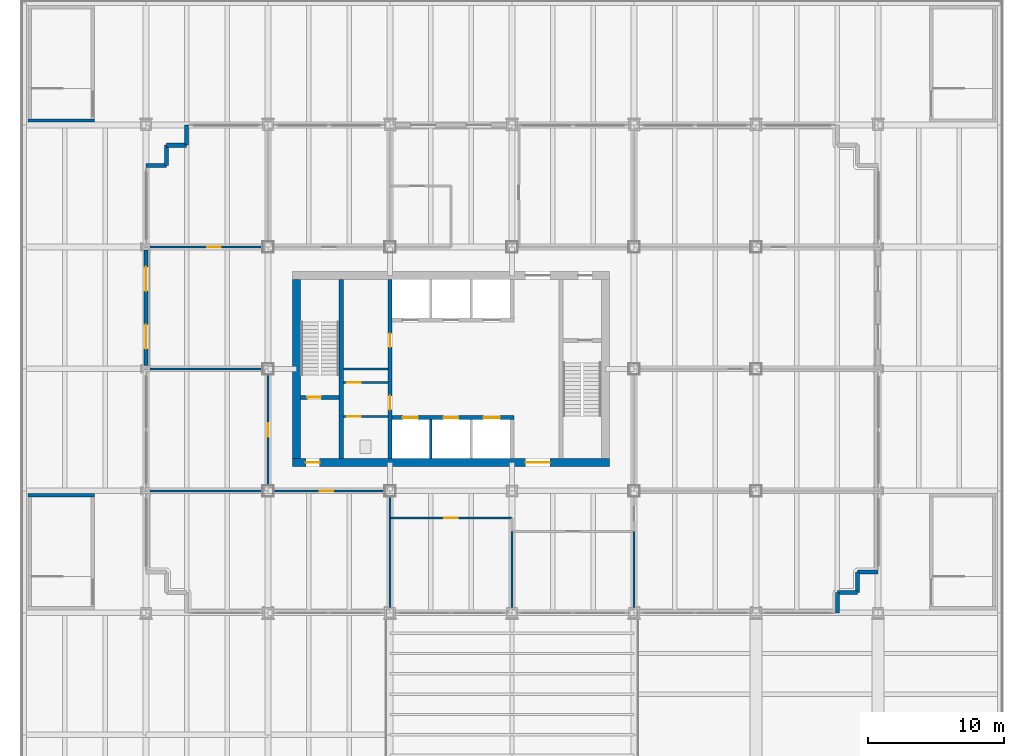
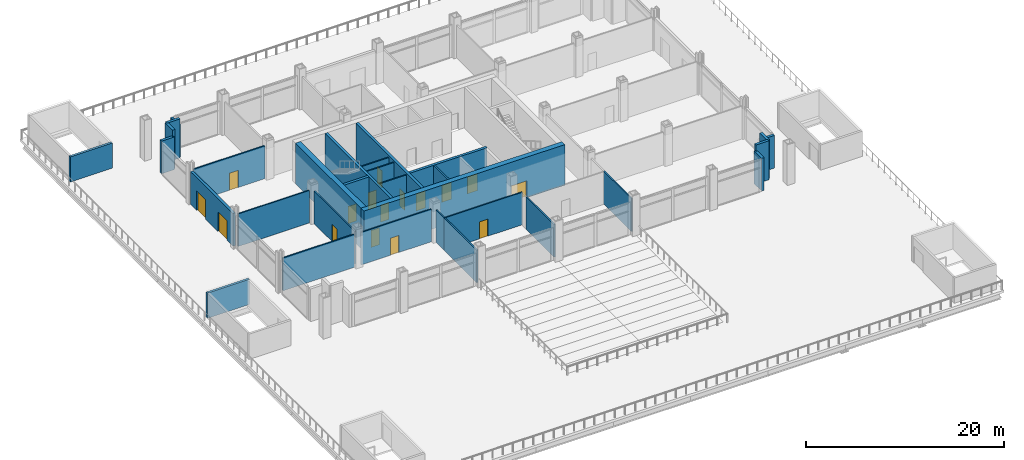
# One storey, part 8 of 16: 31 walls, 16 doors, 16 openings.
"""IFC4 building model written with IfcOpenShell, lengths in metres."""

from ifc_helpers import new_model, si_unit, direction, frame, frame_2d, origin, place, context, subcontext, project, spatial, rectangle, extrude, material, layer, layer_set, type_object, element, fill, save


model = new_model("IFC4")

# Units and contexts
model_context = context("Model", 3, precision=1e-05, world=origin(), true_north=direction((0.0, 1.0)))
body_context = subcontext(model_context, "Body", "Model", "MODEL_VIEW")
ifc_project = project(units=[si_unit("LENGTHUNIT", "METRE"), si_unit("AREAUNIT", "SQUARE_METRE"), si_unit("VOLUMEUNIT", "CUBIC_METRE"), si_unit("PLANEANGLEUNIT", "RADIAN"), si_unit("MASSUNIT", "GRAM", prefix="KILO")], contexts=[model_context])

# Site, building, storey
site_placement = place(None, origin())
site = spatial("IfcSite", under=ifc_project, at=site_placement, CompositionType="ELEMENT")
building_placement = place(site_placement, origin())
building = spatial("IfcBuilding", under=site, at=building_placement, Name="Loomwork Tower", CompositionType="ELEMENT")
storey_placement = place(building_placement, frame((0.0, 0.0, 23.0)))
storey = spatial("IfcBuildingStorey", under=building, at=storey_placement, Name="L04", CompositionType="ELEMENT", Elevation=23.0)

# Wall
ifc_material_1 = material(Name="Concrete 14000 psi (97 MPa)", Category="concrete")
ifc_layer_1 = layer(ifc_material_1, 0.300048828125)
ifc_layer_set_1 = layer_set([ifc_layer_1], Name="Core shear wall 300")
wall_type_1 = type_object("IfcWallType", Name="Core shear wall 300", PredefinedType="SHEAR", material=ifc_layer_set_1)
wall_1_placement = place(storey_placement, frame((14.39990234375, 11.39990234375, 0.0), z_axis=(0.0, 0.0, 1.0), x_axis=(0.0, 1.0, 0.0)))
element("IfcWall", 1, at=wall_1_placement, inside=storey, type_object=wall_type_1, Name="Stair A east wall L04", PredefinedType="SHEAR", context=body_context, shape_type="SweptSolid", body=[
    extrude(rectangle(XDim=13.2001953125, YDim=0.300048828125, at=frame_2d((6.60009765625, 0.0))), origin(), (0.0, 0.0, 1.0), 5.0),
])

# Wall, opening, door
wall_2_placement = place(storey_placement, frame((11.39990234375, 15.89990234375, 0.0), z_axis=(0.0, 0.0, 1.0), x_axis=(1.0, 0.0, 0.0)))
wall_2 = element("IfcWall", 2, at=wall_2_placement, inside=storey, type_object=wall_type_1, Name="Stair A south wall L04", PredefinedType="SHEAR", context=body_context, shape_type="SweptSolid", body=[
    extrude(rectangle(XDim=2.85009765625, YDim=0.300048828125, at=frame_2d((1.425048828125, 0.0))), origin(), (0.0, 0.0, 1.0), 5.0),
])
opening_1_placement = place(wall_2_placement, frame((0.5, 0.0, 0.0)))
opening_1 = element("IfcOpeningElement", 3, at=opening_1_placement, cuts=wall_2, Name="Opening D4", PredefinedType="OPENING", context=body_context, shape_type="SweptSolid", body=[
    extrude(rectangle(XDim=1.0, YDim=2.10009765625, at=frame_2d((0.5, 1.050048828125))), frame((0.0, 0.159912109375, 0.0), z_axis=(0.0, -1.0, 0.0), x_axis=(1.0, 0.0, 0.0)), (0.0, 0.0, 1.0), 0.320068359375),
])
ifc_material_2 = material(Name="Hollow metal door and frame")
door_type_1 = type_object("IfcDoorType", Name="Stair door 1000", OperationType="SINGLE_SWING_RIGHT", PredefinedType="DOOR", material=ifc_material_2)
door_1_placement = place(opening_1_placement, origin())
door_1 = element("IfcDoor", 4, at=door_1_placement, inside=storey, type_object=door_type_1, Name="Stair A door", OperationType="SINGLE_SWING_LEFT", OverallHeight=2.10009765625, OverallWidth=1.0, PredefinedType="DOOR", context=body_context, shape_type="SweptSolid", body=[
    extrude(rectangle(XDim=1.0, YDim=2.10009765625, at=frame_2d((0.5, 1.050048828125))), frame((0.0, 0.02490234375, 0.0), z_axis=(0.0, -1.0, 0.0), x_axis=(1.0, 0.0, 0.0)), (0.0, 0.0, 1.0), 0.050048828125),
])
fill(opening_1, door_1)

# Wall, openings, doors
wall_3_placement = place(storey_placement, frame((18.0, 11.39990234375, 0.0), z_axis=(0.0, 0.0, 1.0), x_axis=(0.0, 1.0, 0.0)))
wall_3 = element("IfcWall", 5, at=wall_3_placement, inside=storey, type_object=wall_type_1, Name="Lobby west wall L04", PredefinedType="SHEAR", context=body_context, shape_type="SweptSolid", body=[
    extrude(rectangle(XDim=13.2001953125, YDim=0.300048828125, at=frame_2d((6.60009765625, 0.0))), origin(), (0.0, 0.0, 1.0), 5.0),
])
opening_2_placement = place(wall_3_placement, frame((3.60009765625, 0.0, 0.0)))
opening_2 = element("IfcOpeningElement", 6, at=opening_2_placement, cuts=wall_3, Name="Opening D5", PredefinedType="OPENING", context=body_context, shape_type="SweptSolid", body=[
    extrude(rectangle(XDim=1.0, YDim=2.10009765625, at=frame_2d((0.5, 1.050048828125))), frame((0.0, 0.159912109375, 0.0), z_axis=(0.0, -1.0, 0.0), x_axis=(1.0, 0.0, 0.0)), (0.0, 0.0, 1.0), 0.320068359375),
])
opening_3_placement = place(wall_3_placement, frame((8.199951171875, 0.0, 0.0)))
opening_3 = element("IfcOpeningElement", 7, at=opening_3_placement, cuts=wall_3, Name="Opening D5", PredefinedType="OPENING", context=body_context, shape_type="SweptSolid", body=[
    extrude(rectangle(XDim=1.0, YDim=2.10009765625, at=frame_2d((0.5, 1.050048828125))), frame((0.0, 0.159912109375, 0.0), z_axis=(0.0, -1.0, 0.0), x_axis=(1.0, 0.0, 0.0)), (0.0, 0.0, 1.0), 0.320068359375),
])
ifc_material_3 = material(Name="Hollow metal door and frame")
door_type_2 = type_object("IfcDoorType", Name="Service door 1000", OperationType="SINGLE_SWING_LEFT", PredefinedType="DOOR", material=ifc_material_3)
door_2_placement = place(opening_2_placement, origin())
door_2 = element("IfcDoor", 8, at=door_2_placement, inside=storey, type_object=door_type_2, Name="Back-of-house door south", OperationType="SINGLE_SWING_LEFT", OverallHeight=2.10009765625, OverallWidth=1.0, PredefinedType="DOOR", context=body_context, shape_type="SweptSolid", body=[
    extrude(rectangle(XDim=1.0, YDim=2.10009765625, at=frame_2d((0.5, 1.050048828125))), frame((0.0, 0.02490234375, 0.0), z_axis=(0.0, -1.0, 0.0), x_axis=(1.0, 0.0, 0.0)), (0.0, 0.0, 1.0), 0.050048828125),
])
fill(opening_2, door_2)
door_3_placement = place(opening_3_placement, origin())
door_3 = element("IfcDoor", 9, at=door_3_placement, inside=storey, type_object=door_type_2, Name="Back-of-house door north", OperationType="SINGLE_SWING_RIGHT", OverallHeight=2.10009765625, OverallWidth=1.0, PredefinedType="DOOR", context=body_context, shape_type="SweptSolid", body=[
    extrude(rectangle(XDim=1.0, YDim=2.10009765625, at=frame_2d((0.5, 1.050048828125))), frame((0.0, 0.02490234375, 0.0), z_axis=(0.0, -1.0, 0.0), x_axis=(1.0, 0.0, 0.0)), (0.0, 0.0, 1.0), 0.050048828125),
])
fill(opening_3, door_3)

wall_4_placement = place(storey_placement, frame((18.14990234375, 14.39990234375, 0.0), z_axis=(0.0, 0.0, 1.0), x_axis=(1.0, 0.0, 0.0)))
wall_4 = element("IfcWall", 10, at=wall_4_placement, inside=storey, type_object=wall_type_1, Name="Lift front wall south L04", PredefinedType="SHEAR", context=body_context, shape_type="SweptSolid", body=[
    extrude(rectangle(XDim=9.0, YDim=0.300048828125, at=frame_2d((4.5, 0.0))), origin(), (0.0, 0.0, 1.0), 5.0),
])
opening_4_placement = place(wall_4_placement, frame((0.800048828125, 0.0, 0.0)))
opening_4 = element("IfcOpeningElement", 11, at=opening_4_placement, cuts=wall_4, Name="Opening LD1", PredefinedType="OPENING", context=body_context, shape_type="SweptSolid", body=[
    extrude(rectangle(XDim=1.10009765625, YDim=2.10009765625, at=frame_2d((0.550048828125, 1.050048828125))), frame((0.0, 0.159912109375, 0.0), z_axis=(0.0, -1.0, 0.0), x_axis=(1.0, 0.0, 0.0)), (0.0, 0.0, 1.0), 0.320068359375),
])
opening_5_placement = place(wall_4_placement, frame((3.800048828125, 0.0, 0.0)))
opening_5 = element("IfcOpeningElement", 12, at=opening_5_placement, cuts=wall_4, Name="Opening LD1", PredefinedType="OPENING", context=body_context, shape_type="SweptSolid", body=[
    extrude(rectangle(XDim=1.10009765625, YDim=2.10009765625, at=frame_2d((0.550048828125, 1.050048828125))), frame((0.0, 0.159912109375, 0.0), z_axis=(0.0, -1.0, 0.0), x_axis=(1.0, 0.0, 0.0)), (0.0, 0.0, 1.0), 0.320068359375),
])
opening_6_placement = place(wall_4_placement, frame((6.75, 0.0, 0.0)))
opening_6 = element("IfcOpeningElement", 13, at=opening_6_placement, cuts=wall_4, Name="Opening LD2", PredefinedType="OPENING", context=body_context, shape_type="SweptSolid", body=[
    extrude(rectangle(XDim=1.199951171875, YDim=2.10009765625, at=frame_2d((0.60009765625, 1.050048828125))), frame((0.0, 0.159912109375, 0.0), z_axis=(0.0, -1.0, 0.0), x_axis=(1.0, 0.0, 0.0)), (0.0, 0.0, 1.0), 0.320068359375),
])
ifc_material_4 = material(Name="Hollow metal door and frame")
door_type_3 = type_object("IfcDoorType", Name="Lift landing door 1100", OperationType="SLIDING_TO_LEFT", PredefinedType="DOOR", material=ifc_material_4)
door_4_placement = place(opening_4_placement, origin())
door_4 = element("IfcDoor", 14, at=door_4_placement, inside=storey, type_object=door_type_3, Name="Lift landing door LA1", OperationType="SLIDING_TO_LEFT", OverallHeight=2.10009765625, OverallWidth=1.10009765625, PredefinedType="DOOR", context=body_context, shape_type="SweptSolid", body=[
    extrude(rectangle(XDim=1.10009765625, YDim=2.10009765625, at=frame_2d((0.550048828125, 1.050048828125))), frame((0.0, 0.02490234375, 0.0), z_axis=(0.0, -1.0, 0.0), x_axis=(1.0, 0.0, 0.0)), (0.0, 0.0, 1.0), 0.050048828125),
])
fill(opening_4, door_4)
door_5_placement = place(opening_5_placement, origin())
door_5 = element("IfcDoor", 15, at=door_5_placement, inside=storey, type_object=door_type_3, Name="Lift landing door LA2", OperationType="SLIDING_TO_LEFT", OverallHeight=2.10009765625, OverallWidth=1.10009765625, PredefinedType="DOOR", context=body_context, shape_type="SweptSolid", body=[
    extrude(rectangle(XDim=1.10009765625, YDim=2.10009765625, at=frame_2d((0.550048828125, 1.050048828125))), frame((0.0, 0.02490234375, 0.0), z_axis=(0.0, -1.0, 0.0), x_axis=(1.0, 0.0, 0.0)), (0.0, 0.0, 1.0), 0.050048828125),
])
fill(opening_5, door_5)
ifc_material_5 = material(Name="Hollow metal door and frame")
door_type_4 = type_object("IfcDoorType", Name="Lift landing door 1200", OperationType="SLIDING_TO_LEFT", PredefinedType="DOOR", material=ifc_material_5)
door_6_placement = place(opening_6_placement, origin())
door_6 = element("IfcDoor", 16, at=door_6_placement, inside=storey, type_object=door_type_4, Name="Lift landing door LF1", OperationType="SLIDING_TO_LEFT", OverallHeight=2.10009765625, OverallWidth=1.199951171875, PredefinedType="DOOR", context=body_context, shape_type="SweptSolid", body=[
    extrude(rectangle(XDim=1.199951171875, YDim=2.10009765625, at=frame_2d((0.60009765625, 1.050048828125))), frame((0.0, 0.02490234375, 0.0), z_axis=(0.0, -1.0, 0.0), x_axis=(1.0, 0.0, 0.0)), (0.0, 0.0, 1.0), 0.050048828125),
])
fill(opening_6, door_6)

ifc_material_6 = material(Name="Concrete 14000 psi (97 MPa)", Category="concrete")
ifc_layer_2 = layer(ifc_material_6, 0.60009765625)
ifc_layer_set_2 = layer_set([ifc_layer_2], Name="Core shear wall 600")
wall_type_2 = type_object("IfcWallType", Name="Core shear wall 600", PredefinedType="SHEAR", material=ifc_layer_set_2)
wall_5_placement = place(storey_placement, frame((10.800048828125, 11.10009765625, 0.0), z_axis=(0.0, 0.0, 1.0), x_axis=(1.0, 0.0, 0.0)))
wall_5 = element("IfcWall", 17, at=wall_5_placement, inside=storey, type_object=wall_type_2, Name="Core wall south L04", PredefinedType="SHEAR", context=body_context, shape_type="SweptSolid", body=[
    extrude(rectangle(XDim=23.39990234375, YDim=0.60009765625, at=frame_2d((11.699951171875, 0.0))), origin(), (0.0, 0.0, 1.0), 5.0),
])
opening_7_placement = place(wall_5_placement, frame((1.0, 0.0, 0.0)))
opening_7 = element("IfcOpeningElement", 18, at=opening_7_placement, cuts=wall_5, Name="Opening D4", PredefinedType="OPENING", context=body_context, shape_type="SweptSolid", body=[
    extrude(rectangle(XDim=1.0, YDim=2.10009765625, at=frame_2d((0.5, 1.050048828125))), frame((0.0, 0.31005859375, 0.0), z_axis=(0.0, -1.0, 0.0), x_axis=(1.0, 0.0, 0.0)), (0.0, 0.0, 1.0), 0.6201171875),
])
opening_8_placement = place(wall_5_placement, frame((17.199951171875, 0.0, 0.0)))
opening_8 = element("IfcOpeningElement", 19, at=opening_8_placement, cuts=wall_5, Name="Opening D6", PredefinedType="OPENING", context=body_context, shape_type="SweptSolid", body=[
    extrude(rectangle(XDim=1.800048828125, YDim=2.10009765625, at=frame_2d((0.89990234375, 1.050048828125))), frame((0.0, 0.31005859375, 0.0), z_axis=(0.0, -1.0, 0.0), x_axis=(1.0, 0.0, 0.0)), (0.0, 0.0, 1.0), 0.6201171875),
])
ifc_material_7 = material(Name="Hollow metal door and frame")
door_type_5 = type_object("IfcDoorType", Name="Lobby passage double door 1800", OperationType="DOUBLE_DOOR_SINGLE_SWING", PredefinedType="DOOR", material=ifc_material_7)
door_7_placement = place(opening_8_placement, origin())
door_7 = element("IfcDoor", 20, at=door_7_placement, inside=storey, type_object=door_type_5, Name="Lobby passage door south", OperationType="DOUBLE_DOOR_SINGLE_SWING", OverallHeight=2.10009765625, OverallWidth=1.800048828125, PredefinedType="DOOR", context=body_context, shape_type="SweptSolid", body=[
    extrude(rectangle(XDim=1.800048828125, YDim=2.10009765625, at=frame_2d((0.89990234375, 1.050048828125))), frame((0.0, 0.02490234375, 0.0), z_axis=(0.0, -1.0, 0.0), x_axis=(1.0, 0.0, 0.0)), (0.0, 0.0, 1.0), 0.050048828125),
])
fill(opening_8, door_7)
door_8_placement = place(opening_7_placement, origin())
door_8 = element("IfcDoor", 21, at=door_8_placement, inside=storey, type_object=door_type_1, Name="Stair A vestibule door", OperationType="SINGLE_SWING_LEFT", OverallHeight=2.10009765625, OverallWidth=1.0, PredefinedType="DOOR", context=body_context, shape_type="SweptSolid", body=[
    extrude(rectangle(XDim=1.0, YDim=2.10009765625, at=frame_2d((0.5, 1.050048828125))), frame((0.0, 0.02490234375, 0.0), z_axis=(0.0, -1.0, 0.0), x_axis=(1.0, 0.0, 0.0)), (0.0, 0.0, 1.0), 0.050048828125),
])
fill(opening_7, door_8)

# Walls
wall_6_placement = place(storey_placement, frame((11.10009765625, 11.39990234375, 0.0), z_axis=(0.0, 0.0, 1.0), x_axis=(0.0, 1.0, 0.0)))
element("IfcWall", 22, at=wall_6_placement, inside=storey, type_object=wall_type_2, Name="Core wall west L04", PredefinedType="SHEAR", context=body_context, shape_type="SweptSolid", body=[
    extrude(rectangle(XDim=13.2001953125, YDim=0.60009765625, at=frame_2d((6.60009765625, 0.0))), origin(), (0.0, 0.0, 1.0), 5.0),
])
ifc_material_8 = material(Name="Concrete 14000 psi (97 MPa)", Category="concrete")
ifc_layer_3 = layer(ifc_material_8, 0.199951171875)
ifc_layer_set_3 = layer_set([ifc_layer_3], Name="Lift shaft wall 200")
wall_type_3 = type_object("IfcWallType", Name="Lift shaft wall 200", PredefinedType="SHEAR", material=ifc_layer_set_3)
wall_7_placement = place(storey_placement, frame((21.0, 11.39990234375, 0.0), z_axis=(0.0, 0.0, 1.0), x_axis=(0.0, 1.0, 0.0)))
element("IfcWall", 23, at=wall_7_placement, inside=storey, type_object=wall_type_3, Name="Lift shaft separation wall south 1 L04", PredefinedType="SHEAR", context=body_context, shape_type="SweptSolid", body=[
    extrude(rectangle(XDim=2.85009765625, YDim=0.199951171875, at=frame_2d((1.425048828125, 0.0))), origin(), (0.0, 0.0, 1.0), 5.0),
])
ifc_material_9 = material(Name="Limestone on concrete masonry", Category="masonry")
ifc_layer_4 = layer(ifc_material_9, 0.300048828125)
ifc_layer_set_4 = layer_set([ifc_layer_4], Name="Limestone corner wall 300")
wall_type_4 = type_object("IfcWallType", Name="Limestone corner wall 300", PredefinedType="SOLIDWALL", material=ifc_layer_set_4)
wall_8_placement = place(storey_placement, frame((51.0, 0.0, 0.0), z_axis=(0.0, 0.0, 1.0), x_axis=(0.0, 1.0, 0.0)))
element("IfcWall", 24, at=wall_8_placement, inside=storey, type_object=wall_type_4, Name="Stone corner wall SE 1", PredefinedType="SOLIDWALL", context=body_context, shape_type="SweptSolid", body=[
    extrude(rectangle(XDim=1.5, YDim=0.300048828125, at=frame_2d((0.75, 0.0))), origin(), (0.0, 0.0, 1.0), 4.02001953125),
])
for number, where, z_axis, x_axis, name in (
    (25, (51.0, 1.5, 0.0), (0.0, 0.0, 1.0), (1.0, 0.0, 0.0), "Stone corner wall SE 2"),
    (26, (52.5, 1.5, 0.0), (0.0, 0.0, 1.0), (0.0, 1.0, 0.0), "Stone corner wall SE 3"),
):
    element("IfcWall", number, at=place(storey_placement, frame(where, z_axis=z_axis, x_axis=x_axis)), inside=storey, type_object=wall_type_4, Name=name, PredefinedType="SOLIDWALL", context=body_context, shape_type="SweptSolid", body=[
        extrude(rectangle(XDim=1.5, YDim=0.300048828125, at=frame_2d((0.75, 0.0))), origin(), (0.0, 0.0, 1.0), 4.800048828125),
    ])
for number, where, z_axis, x_axis, name in (
    (27, (52.5, 3.0, 0.0), (0.0, 0.0, 1.0), (1.0, 0.0, 0.0), "Stone corner wall SE 4"),
    (28, (3.0, 36.0, 0.0), (0.0, 0.0, 1.0), (0.0, -1.0, 0.0), "Stone corner wall NW 1"),
):
    element("IfcWall", number, at=place(storey_placement, frame(where, z_axis=z_axis, x_axis=x_axis)), inside=storey, type_object=wall_type_4, Name=name, PredefinedType="SOLIDWALL", context=body_context, shape_type="SweptSolid", body=[
        extrude(rectangle(XDim=1.5, YDim=0.300048828125, at=frame_2d((0.75, 0.0))), origin(), (0.0, 0.0, 1.0), 4.02001953125),
    ])
for number, where, z_axis, x_axis, name in (
    (29, (3.0, 34.5, 0.0), (0.0, 0.0, 1.0), (-1.0, 0.0, 0.0), "Stone corner wall NW 2"),
    (30, (1.5, 34.5, 0.0), (0.0, 0.0, 1.0), (0.0, -1.0, 0.0), "Stone corner wall NW 3"),
):
    element("IfcWall", number, at=place(storey_placement, frame(where, z_axis=z_axis, x_axis=x_axis)), inside=storey, type_object=wall_type_4, Name=name, PredefinedType="SOLIDWALL", context=body_context, shape_type="SweptSolid", body=[
        extrude(rectangle(XDim=1.5, YDim=0.300048828125, at=frame_2d((0.75, 0.0))), origin(), (0.0, 0.0, 1.0), 4.800048828125),
    ])
wall_9_placement = place(storey_placement, frame((1.5, 33.0, 0.0), z_axis=(0.0, 0.0, 1.0), x_axis=(-1.0, 0.0, 0.0)))
element("IfcWall", 31, at=wall_9_placement, inside=storey, type_object=wall_type_4, Name="Stone corner wall NW 4", PredefinedType="SOLIDWALL", context=body_context, shape_type="SweptSolid", body=[
    extrude(rectangle(XDim=1.5, YDim=0.300048828125, at=frame_2d((0.75, 0.0))), origin(), (0.0, 0.0, 1.0), 4.02001953125),
])
ifc_material_10 = material(Name="Gypsum board on steel studs, one-hour", Category="steel")
ifc_layer_5 = layer(ifc_material_10, 0.14990234375)
ifc_layer_set_5 = layer_set([ifc_layer_5], Name="Partition 150")
wall_type_5 = type_object("IfcWallType", Name="Partition 150", PredefinedType="PARTITIONING", material=ifc_layer_set_5)
wall_10_placement = place(storey_placement, frame((0.2998046875, 9.0, 0.0), z_axis=(0.0, 0.0, 1.0), x_axis=(1.0, 0.0, 0.0)))
element("IfcWall", 32, at=wall_10_placement, inside=storey, type_object=wall_type_5, Name="Partition L04 1.1", PredefinedType="PARTITIONING", context=body_context, shape_type="SweptSolid", body=[
    extrude(rectangle(XDim=8.30029296875, YDim=0.14990234375, at=frame_2d((4.150146484375, 0.0))), origin(), (0.0, 0.0, 1.0), 4.0380859375),
])
wall_11_placement = place(storey_placement, frame((0.2998046875, 18.0, 0.0), z_axis=(0.0, 0.0, 1.0), x_axis=(1.0, 0.0, 0.0)))
element("IfcWall", 33, at=wall_11_placement, inside=storey, type_object=wall_type_5, Name="Partition L04 2.1", PredefinedType="PARTITIONING", context=body_context, shape_type="SweptSolid", body=[
    extrude(rectangle(XDim=8.30029296875, YDim=0.14990234375, at=frame_2d((4.150146484375, 0.0))), origin(), (0.0, 0.0, 1.0), 4.0048828125),
])

# Wall, opening, door
wall_12_placement = place(storey_placement, frame((8.60009765625, 27.0, 0.0), z_axis=(0.0, 0.0, 1.0), x_axis=(-1.0, 0.0, 0.0)))
wall_12 = element("IfcWall", 34, at=wall_12_placement, inside=storey, type_object=wall_type_5, Name="Partition L04 3.1", PredefinedType="PARTITIONING", context=body_context, shape_type="SweptSolid", body=[
    extrude(rectangle(XDim=8.30029296875, YDim=0.14990234375, at=frame_2d((4.150146484375, 0.0))), origin(), (0.0, 0.0, 1.0), 4.0380859375),
])
opening_9_placement = place(wall_12_placement, frame((3.10009765625, 0.0, 0.0)))
opening_9 = element("IfcOpeningElement", 35, at=opening_9_placement, cuts=wall_12, Name="Opening D8", PredefinedType="OPENING", context=body_context, shape_type="SweptSolid", body=[
    extrude(rectangle(XDim=1.0, YDim=2.10009765625, at=frame_2d((0.5, 1.050048828125))), frame((0.0, 0.0849609375, 0.0), z_axis=(0.0, -1.0, 0.0), x_axis=(1.0, 0.0, 0.0)), (0.0, 0.0, 1.0), 0.169921875),
])
ifc_material_11 = material(Name="Hollow metal door and frame")
door_type_6 = type_object("IfcDoorType", Name="WC door 1000", OperationType="SINGLE_SWING_LEFT", PredefinedType="DOOR", material=ifc_material_11)
door_9_placement = place(opening_9_placement, frame((1.0, 0.0, 0.0), z_axis=(0.0, 0.0, 1.0), x_axis=(-1.0, 0.0, 0.0)))
door_9 = element("IfcDoor", 36, at=door_9_placement, inside=storey, type_object=door_type_6, Name="Public WC men door", OperationType="SINGLE_SWING_RIGHT", OverallHeight=2.10009765625, OverallWidth=1.0, PredefinedType="DOOR", context=body_context, shape_type="SweptSolid", body=[
    extrude(rectangle(XDim=1.0, YDim=2.10009765625, at=frame_2d((0.5, 1.050048828125))), frame((0.0, 0.02490234375, 0.0), z_axis=(0.0, -1.0, 0.0), x_axis=(1.0, 0.0, 0.0)), (0.0, 0.0, 1.0), 0.050048828125),
])
fill(opening_9, door_9)

wall_13_placement = place(storey_placement, frame((9.0, 17.60009765625, 0.0), z_axis=(0.0, 0.0, 1.0), x_axis=(0.0, -1.0, 0.0)))
wall_13 = element("IfcWall", 37, at=wall_13_placement, inside=storey, type_object=wall_type_5, Name="Partition L04 4.1", PredefinedType="PARTITIONING", context=body_context, shape_type="SweptSolid", body=[
    extrude(rectangle(XDim=8.2001953125, YDim=0.14990234375, at=frame_2d((4.10009765625, 0.0))), origin(), (0.0, 0.0, 1.0), 4.0048828125),
])
opening_10_placement = place(wall_13_placement, frame((3.60009765625, 0.0, 0.0)))
opening_10 = element("IfcOpeningElement", 38, at=opening_10_placement, cuts=wall_13, Name="Opening D7", PredefinedType="OPENING", context=body_context, shape_type="SweptSolid", body=[
    extrude(rectangle(XDim=1.0, YDim=2.10009765625, at=frame_2d((0.5, 1.050048828125))), frame((0.0, 0.0849609375, 0.0), z_axis=(0.0, -1.0, 0.0), x_axis=(1.0, 0.0, 0.0)), (0.0, 0.0, 1.0), 0.169921875),
])
ifc_material_12 = material(Name="Hollow metal door and frame")
door_type_7 = type_object("IfcDoorType", Name="Room door 1000", OperationType="SINGLE_SWING_LEFT", PredefinedType="DOOR", material=ifc_material_12)
door_10_placement = place(opening_10_placement, origin())
door_10 = element("IfcDoor", 39, at=door_10_placement, inside=storey, type_object=door_type_7, Name="Cocktail bar door", OperationType="SINGLE_SWING_RIGHT", OverallHeight=2.10009765625, OverallWidth=1.0, PredefinedType="DOOR", context=body_context, shape_type="SweptSolid", body=[
    extrude(rectangle(XDim=1.0, YDim=2.10009765625, at=frame_2d((0.5, 1.050048828125))), frame((0.0, 0.02490234375, 0.0), z_axis=(0.0, -1.0, 0.0), x_axis=(1.0, 0.0, 0.0)), (0.0, 0.0, 1.0), 0.050048828125),
])
fill(opening_10, door_10)

wall_14_placement = place(storey_placement, frame((9.39990234375, 9.0, 0.0), z_axis=(0.0, 0.0, 1.0), x_axis=(1.0, 0.0, 0.0)))
wall_14 = element("IfcWall", 40, at=wall_14_placement, inside=storey, type_object=wall_type_5, Name="Partition L04 5.1", PredefinedType="PARTITIONING", context=body_context, shape_type="SweptSolid", body=[
    extrude(rectangle(XDim=8.2001953125, YDim=0.14990234375, at=frame_2d((4.10009765625, 0.0))), origin(), (0.0, 0.0, 1.0), 4.0048828125),
])
opening_11_placement = place(wall_14_placement, frame((3.39990234375, 0.0, 0.0)))
opening_11 = element("IfcOpeningElement", 41, at=opening_11_placement, cuts=wall_14, Name="Opening D7", PredefinedType="OPENING", context=body_context, shape_type="SweptSolid", body=[
    extrude(rectangle(XDim=1.0, YDim=2.10009765625, at=frame_2d((0.5, 1.050048828125))), frame((0.0, 0.0849609375, 0.0), z_axis=(0.0, -1.0, 0.0), x_axis=(1.0, 0.0, 0.0)), (0.0, 0.0, 1.0), 0.169921875),
])
door_11_placement = place(opening_11_placement, frame((1.0, 0.0, 0.0), z_axis=(0.0, 0.0, 1.0), x_axis=(-1.0, 0.0, 0.0)))
door_11 = element("IfcDoor", 42, at=door_11_placement, inside=storey, type_object=door_type_7, Name="Fitness centre door", OperationType="SINGLE_SWING_LEFT", OverallHeight=2.10009765625, OverallWidth=1.0, PredefinedType="DOOR", context=body_context, shape_type="SweptSolid", body=[
    extrude(rectangle(XDim=1.0, YDim=2.10009765625, at=frame_2d((0.5, 1.050048828125))), frame((0.0, 0.02490234375, 0.0), z_axis=(0.0, -1.0, 0.0), x_axis=(1.0, 0.0, 0.0)), (0.0, 0.0, 1.0), 0.050048828125),
])
fill(opening_11, door_11)

# Walls
wall_15_placement = place(storey_placement, frame((18.0, 7.0, 0.0), z_axis=(0.0, 0.0, 1.0), x_axis=(0.0, -1.0, 0.0)))
element("IfcWall", 43, at=wall_15_placement, inside=storey, type_object=wall_type_5, Name="Partition L04 8.1", PredefinedType="PARTITIONING", context=body_context, shape_type="SweptSolid", body=[
    extrude(rectangle(XDim=6.60009765625, YDim=0.14990234375, at=frame_2d((3.300048828125, 0.0))), origin(), (0.0, 0.0, 1.0), 4.0048828125),
])
wall_16_placement = place(storey_placement, frame((18.0, 8.60009765625, 0.0), z_axis=(0.0, 0.0, 1.0), x_axis=(0.0, -1.0, 0.0)))
element("IfcWall", 44, at=wall_16_placement, inside=storey, type_object=wall_type_5, Name="Partition L04 9.1", PredefinedType="PARTITIONING", context=body_context, shape_type="SweptSolid", body=[
    extrude(rectangle(XDim=1.60009765625, YDim=0.14990234375, at=frame_2d((0.800048828125, 0.0))), origin(), (0.0, 0.0, 1.0), 4.0048828125),
])

# Wall, opening, door
wall_17_placement = place(storey_placement, frame((18.0, 7.0, 0.0), z_axis=(0.0, 0.0, 1.0), x_axis=(1.0, 0.0, 0.0)))
wall_17 = element("IfcWall", 45, at=wall_17_placement, inside=storey, type_object=wall_type_5, Name="Partition L04 10.1", PredefinedType="PARTITIONING", context=body_context, shape_type="SweptSolid", body=[
    extrude(rectangle(XDim=9.0, YDim=0.14990234375, at=frame_2d((4.5, 0.0))), origin(), (0.0, 0.0, 1.0), 4.00390625),
])
opening_12_placement = place(wall_17_placement, frame((4.0, 0.0, 0.0)))
opening_12 = element("IfcOpeningElement", 46, at=opening_12_placement, cuts=wall_17, Name="Opening D7", PredefinedType="OPENING", context=body_context, shape_type="SweptSolid", body=[
    extrude(rectangle(XDim=1.0, YDim=2.10009765625, at=frame_2d((0.5, 1.050048828125))), frame((0.0, 0.0849609375, 0.0), z_axis=(0.0, -1.0, 0.0), x_axis=(1.0, 0.0, 0.0)), (0.0, 0.0, 1.0), 0.169921875),
])
door_12_placement = place(opening_12_placement, origin())
door_12 = element("IfcDoor", 47, at=door_12_placement, inside=storey, type_object=door_type_7, Name="Hotel reception door", OperationType="SINGLE_SWING_LEFT", OverallHeight=2.10009765625, OverallWidth=1.0, PredefinedType="DOOR", context=body_context, shape_type="SweptSolid", body=[
    extrude(rectangle(XDim=1.0, YDim=2.10009765625, at=frame_2d((0.5, 1.050048828125))), frame((0.0, 0.02490234375, 0.0), z_axis=(0.0, -1.0, 0.0), x_axis=(1.0, 0.0, 0.0)), (0.0, 0.0, 1.0), 0.050048828125),
])
fill(opening_12, door_12)

# Walls
wall_18_placement = place(storey_placement, frame((27.0, 6.0, 0.0), z_axis=(0.0, 0.0, 1.0), x_axis=(0.0, -1.0, 0.0)))
element("IfcWall", 48, at=wall_18_placement, inside=storey, type_object=wall_type_5, Name="Partition L04 16.1", PredefinedType="PARTITIONING", context=body_context, shape_type="SweptSolid", body=[
    extrude(rectangle(XDim=5.60009765625, YDim=0.14990234375, at=frame_2d((2.800048828125, 0.0))), origin(), (0.0, 0.0, 1.0), 4.0048828125),
])
wall_19_placement = place(storey_placement, frame((36.0, 0.39990234375, 0.0), z_axis=(0.0, 0.0, 1.0), x_axis=(0.0, 1.0, 0.0)))
element("IfcWall", 49, at=wall_19_placement, inside=storey, type_object=wall_type_5, Name="Partition L04 21.1", PredefinedType="PARTITIONING", context=body_context, shape_type="SweptSolid", body=[
    extrude(rectangle(XDim=5.60009765625, YDim=0.14990234375, at=frame_2d((2.800048828125, 0.0))), origin(), (0.0, 0.0, 1.0), 4.0380859375),
])
ifc_material_13 = material(Name="Gypsum board on steel studs", Category="steel")
ifc_layer_6 = layer(ifc_material_13, 0.14990234375)
ifc_layer_set_6 = layer_set([ifc_layer_6], Name="Partition 150 two-hour")
wall_type_6 = type_object("IfcWallType", Name="Partition 150 two-hour", PredefinedType="PARTITIONING", material=ifc_layer_set_6)
wall_20_placement = place(storey_placement, frame((14.550048828125, 18.0, 0.0), z_axis=(0.0, 0.0, 1.0), x_axis=(1.0, 0.0, 0.0)))
element("IfcWall", 50, at=wall_20_placement, inside=storey, type_object=wall_type_6, Name="Back-of-house dividing wall L04", PredefinedType="PARTITIONING", context=body_context, shape_type="SweptSolid", body=[
    extrude(rectangle(XDim=3.300048828125, YDim=0.14990234375, at=frame_2d((1.64990234375, 0.0))), origin(), (0.0, 0.0, 1.0), 4.800048828125),
])

# Wall, opening, door
ifc_material_14 = material(Name="Gypsum board on steel studs, one-hour", Category="steel")
ifc_layer_7 = layer(ifc_material_14, 0.14990234375)
ifc_layer_set_7 = layer_set([ifc_layer_7], Name="Service partition 150")
wall_type_7 = type_object("IfcWallType", Name="Service partition 150", PredefinedType="PARTITIONING", material=ifc_layer_set_7)
wall_21_placement = place(storey_placement, frame((14.550048828125, 17.0, 0.0), z_axis=(0.0, 0.0, 1.0), x_axis=(1.0, 0.0, 0.0)))
wall_21 = element("IfcWall", 51, at=wall_21_placement, inside=storey, type_object=wall_type_7, Name="Riser enclosure L04", PredefinedType="PARTITIONING", context=body_context, shape_type="SweptSolid", body=[
    extrude(rectangle(XDim=3.300048828125, YDim=0.14990234375, at=frame_2d((1.64990234375, 0.0))), origin(), (0.0, 0.0, 1.0), 4.800048828125),
])
opening_13_placement = place(wall_21_placement, frame((0.300048828125, 0.0, 0.0)))
opening_13 = element("IfcOpeningElement", 52, at=opening_13_placement, cuts=wall_21, Name="Opening D18", PredefinedType="OPENING", context=body_context, shape_type="SweptSolid", body=[
    extrude(rectangle(XDim=1.0, YDim=2.10009765625, at=frame_2d((0.5, 1.050048828125))), frame((0.0, 0.0849609375, 0.0), z_axis=(0.0, -1.0, 0.0), x_axis=(1.0, 0.0, 0.0)), (0.0, 0.0, 1.0), 0.169921875),
])
ifc_material_15 = material(Name="Hollow metal door and frame")
door_type_8 = type_object("IfcDoorType", Name="Ninety-minute service door 1000", OperationType="SINGLE_SWING_LEFT", PredefinedType="DOOR", material=ifc_material_15)
door_13_placement = place(opening_13_placement, frame((1.0, 0.0, 0.0), z_axis=(0.0, 0.0, 1.0), x_axis=(-1.0, 0.0, 0.0)))
door_13 = element("IfcDoor", 53, at=door_13_placement, inside=storey, type_object=door_type_8, Name="Riser access door", OperationType="SINGLE_SWING_RIGHT", OverallHeight=2.10009765625, OverallWidth=1.0, PredefinedType="DOOR", context=body_context, shape_type="SweptSolid", body=[
    extrude(rectangle(XDim=1.0, YDim=2.10009765625, at=frame_2d((0.5, 1.050048828125))), frame((0.0, 0.02490234375, 0.0), z_axis=(0.0, -1.0, 0.0), x_axis=(1.0, 0.0, 0.0)), (0.0, 0.0, 1.0), 0.050048828125),
])
fill(opening_13, door_13)

wall_22_placement = place(storey_placement, frame((14.550048828125, 14.47509765625, 0.0), z_axis=(0.0, 0.0, 1.0), x_axis=(1.0, 0.0, 0.0)))
wall_22 = element("IfcWall", 54, at=wall_22_placement, inside=storey, type_object=wall_type_7, Name="Back-of-house partition L04", PredefinedType="PARTITIONING", context=body_context, shape_type="SweptSolid", body=[
    extrude(rectangle(XDim=3.300048828125, YDim=0.14990234375, at=frame_2d((1.64990234375, 0.0))), origin(), (0.0, 0.0, 1.0), 4.800048828125),
])
opening_14_placement = place(wall_22_placement, frame((0.300048828125, 0.0, 0.0)))
opening_14 = element("IfcOpeningElement", 55, at=opening_14_placement, cuts=wall_22, Name="Opening D5", PredefinedType="OPENING", context=body_context, shape_type="SweptSolid", body=[
    extrude(rectangle(XDim=1.0, YDim=2.10009765625, at=frame_2d((0.5, 1.050048828125))), frame((0.0, 0.0849609375, 0.0), z_axis=(0.0, -1.0, 0.0), x_axis=(1.0, 0.0, 0.0)), (0.0, 0.0, 1.0), 0.169921875),
])
door_14_placement = place(opening_14_placement, origin())
door_14 = element("IfcDoor", 56, at=door_14_placement, inside=storey, type_object=door_type_2, Name="Back-of-house room door", OperationType="SINGLE_SWING_LEFT", OverallHeight=2.10009765625, OverallWidth=1.0, PredefinedType="DOOR", context=body_context, shape_type="SweptSolid", body=[
    extrude(rectangle(XDim=1.0, YDim=2.10009765625, at=frame_2d((0.5, 1.050048828125))), frame((0.0, 0.02490234375, 0.0), z_axis=(0.0, -1.0, 0.0), x_axis=(1.0, 0.0, 0.0)), (0.0, 0.0, 1.0), 0.050048828125),
])
fill(opening_14, door_14)

# Walls
ifc_material_16 = material(Name="Concrete masonry, two-hour", Category="masonry")
ifc_layer_8 = layer(ifc_material_16, 0.25)
ifc_layer_set_8 = layer_set([ifc_layer_8], Name="Stair enclosure wall 250")
wall_type_8 = type_object("IfcWallType", Name="Stair enclosure wall 250", PredefinedType="SOLIDWALL", material=ifc_layer_set_8)
for number, where, z_axis, x_axis, name in (
    (57, (-8.699951171875, 36.324951171875, 0.0), (0.0, 0.0, 1.0), (1.0, 0.0, 0.0), "Stair PS3 head-house wall S L04"),
    (58, (-8.699951171875, 8.675048828125, 0.0), (0.0, 0.0, 1.0), (1.0, 0.0, 0.0), "Stair PS5 head-house wall N L04"),
):
    element("IfcWall", number, at=place(storey_placement, frame(where, z_axis=z_axis, x_axis=x_axis)), inside=storey, type_object=wall_type_8, Name=name, PredefinedType="SOLIDWALL", context=body_context, shape_type="SweptSolid", body=[
        extrude(rectangle(XDim=4.89990234375, YDim=0.25, at=frame_2d((2.449951171875, 0.0))), origin(), (0.0, 0.0, 1.0), 3.10009765625),
    ])

# Wall, openings, doors
ifc_material_17 = material(Name="Limestone on concrete masonry", Category="masonry")
ifc_layer_9 = layer(ifc_material_17, 0.300048828125)
ifc_layer_set_9 = layer_set([ifc_layer_9], Name="Terrace door screen wall 300")
wall_type_9 = type_object("IfcWallType", Name="Terrace door screen wall 300", PredefinedType="SOLIDWALL", material=ifc_layer_set_9)
wall_23_placement = place(storey_placement, frame((0.0, 18.23876953125, 0.0), z_axis=(0.0, 0.0, 1.0), x_axis=(0.0, 1.0, 0.0)))
wall_23 = element("IfcWall", 59, at=wall_23_placement, inside=storey, type_object=wall_type_9, Name="Terrace door screen W", PredefinedType="SOLIDWALL", context=body_context, shape_type="SweptSolid", body=[
    extrude(rectangle(XDim=8.5224609375, YDim=0.300048828125, at=frame_2d((4.26123046875, 0.0))), origin(), (0.0, 0.0, 1.0), 4.020263671875),
])
opening_15_placement = place(wall_23_placement, frame((1.230712890625, 0.0, 0.0)))
opening_15 = element("IfcOpeningElement", 60, at=opening_15_placement, cuts=wall_23, Name="Opening D13", PredefinedType="OPENING", context=body_context, shape_type="SweptSolid", body=[
    extrude(rectangle(XDim=1.800048828125, YDim=2.39990234375, at=frame_2d((0.89990234375, 1.199951171875))), frame((0.0, 0.159912109375, 0.0), z_axis=(0.0, -1.0, 0.0), x_axis=(1.0, 0.0, 0.0)), (0.0, 0.0, 1.0), 0.320068359375),
])
opening_16_placement = place(wall_23_placement, frame((5.491943359375, 0.0, 0.0)))
opening_16 = element("IfcOpeningElement", 61, at=opening_16_placement, cuts=wall_23, Name="Opening D13", PredefinedType="OPENING", context=body_context, shape_type="SweptSolid", body=[
    extrude(rectangle(XDim=1.800048828125, YDim=2.39990234375, at=frame_2d((0.89990234375, 1.199951171875))), frame((0.0, 0.159912109375, 0.0), z_axis=(0.0, -1.0, 0.0), x_axis=(1.0, 0.0, 0.0)), (0.0, 0.0, 1.0), 0.320068359375),
])
ifc_material_18 = material(Name="Hollow metal door and frame")
door_type_9 = type_object("IfcDoorType", Name="Terrace door 1800", OperationType="DOUBLE_DOOR_SINGLE_SWING", PredefinedType="DOOR", material=ifc_material_18)
door_15_placement = place(opening_15_placement, origin())
door_15 = element("IfcDoor", 62, at=door_15_placement, inside=storey, type_object=door_type_9, Name="Terrace door W 1", OperationType="DOUBLE_DOOR_SINGLE_SWING", OverallHeight=2.39990234375, OverallWidth=1.800048828125, PredefinedType="DOOR", context=body_context, shape_type="SweptSolid", body=[
    extrude(rectangle(XDim=1.800048828125, YDim=2.39990234375, at=frame_2d((0.89990234375, 1.199951171875))), frame((0.0, 0.02490234375, 0.0), z_axis=(0.0, -1.0, 0.0), x_axis=(1.0, 0.0, 0.0)), (0.0, 0.0, 1.0), 0.050048828125),
])
fill(opening_15, door_15)
door_16_placement = place(opening_16_placement, origin())
door_16 = element("IfcDoor", 63, at=door_16_placement, inside=storey, type_object=door_type_9, Name="Terrace door W 2", OperationType="DOUBLE_DOOR_SINGLE_SWING", OverallHeight=2.39990234375, OverallWidth=1.800048828125, PredefinedType="DOOR", context=body_context, shape_type="SweptSolid", body=[
    extrude(rectangle(XDim=1.800048828125, YDim=2.39990234375, at=frame_2d((0.89990234375, 1.199951171875))), frame((0.0, 0.02490234375, 0.0), z_axis=(0.0, -1.0, 0.0), x_axis=(1.0, 0.0, 0.0)), (0.0, 0.0, 1.0), 0.050048828125),
])
fill(opening_16, door_16)

save(model, "model.ifc")
